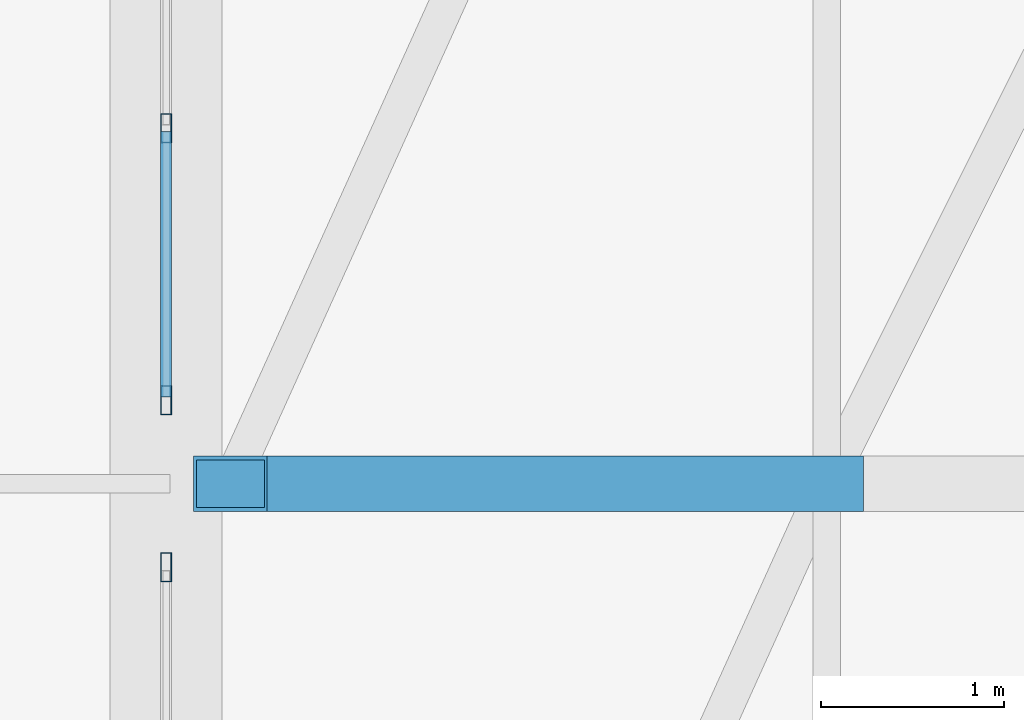
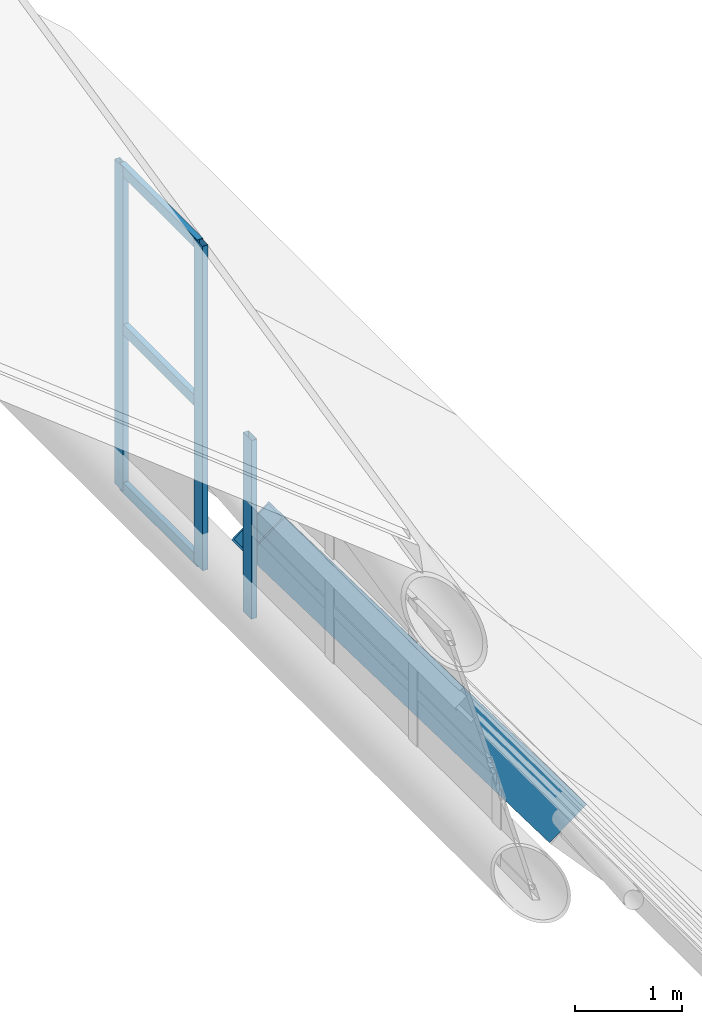
# One storey, part 128 of 397: 6 members, 1 beam, 2 elements without a shape of their own.
"""IFC4 building model written with IfcOpenShell, lengths in metres."""

import ifcopenshell
import ifcopenshell.guid

model = None  # the IFC model being written
_history = None  # IfcOwnerHistory: only IFC2X3 demands one
_inside = {}  # id of a spatial element -> (the spatial element, [elements in it])
_under = {}  # id of a project, library or spatial element -> (it, [spatial elements below it])
_declared = {}  # id of a project -> (the project, [libraries it declares])
_typed = {}  # id of a type object -> (the type object, [elements of that type])
_made_of = {}  # id of a material, layer set ... -> (it, [elements and type objects made of it])


def new_model(schema):
    """Start an empty IFC model of exactly this schema.

    Asked for "IFC4X3", IfcOpenShell would pick the latest addendum, in which some entities
    have other attributes; the version numbers below select the first issue.
    IFC2X3 requires an IfcOwnerHistory on every rooted entity: one is made here for all.
    """
    global model, _history
    if schema == "IFC4X3":
        model = ifcopenshell.file(schema_version=(4, 3, 0, 0))
    else:
        model = ifcopenshell.file(schema=schema)
    _inside.clear()
    _under.clear()
    _declared.clear()
    _typed.clear()
    _made_of.clear()
    _history = None
    if model.schema == "IFC2X3":
        org = make("IfcOrganization", Name="unknown")
        user = make(
            "IfcPersonAndOrganization",
            ThePerson=make("IfcPerson", FamilyName="unknown"),
            TheOrganization=org,
        )
        app = make(
            "IfcApplication",
            ApplicationDeveloper=org,
            Version="unknown",
            ApplicationFullName="unknown",
            ApplicationIdentifier="unknown",
        )
        _history = make(
            "IfcOwnerHistory",
            OwningUser=user,
            OwningApplication=app,
            ChangeAction="ADDED",
            CreationDate=0,
        )
    return model


def make(cls, **values):
    """One entity of the class cls with the attributes given. An attribute that is None is left unset."""
    return model.create_entity(
        cls, **{name: value for name, value in values.items() if value is not None}
    )


def rooted(cls, **values):
    """An entity with a GlobalId (a new one), such as an element, a storey or a relation."""
    return make(cls, GlobalId=ifcopenshell.guid.new(), OwnerHistory=_history, **values)


def si_unit(unit_type, name, prefix=None):
    """IfcSIUnit, for example si_unit("LENGTHUNIT", "METRE", prefix="MILLI")."""
    return make("IfcSIUnit", UnitType=unit_type, Prefix=prefix, Name=name)


def assignment(units):
    """IfcUnitAssignment: the units of a project."""
    return None if units is None else make("IfcUnitAssignment", Units=units)


def point(xyz):
    """IfcCartesianPoint."""
    return None if xyz is None else make("IfcCartesianPoint", Coordinates=xyz)


def direction(xyz):
    """IfcDirection."""
    return None if xyz is None else make("IfcDirection", DirectionRatios=xyz)


def frame(location, z_axis=None, x_axis=None):
    """IfcAxis2Placement3D, a coordinate frame: its origin and axes. An axis left out is left unset."""
    return make(
        "IfcAxis2Placement3D",
        Location=point(location),
        Axis=direction(z_axis),
        RefDirection=direction(x_axis),
    )


def frame_2d(location, x_axis=None):
    """IfcAxis2Placement2D, a coordinate frame in the plane: its origin and x axis."""
    return make(
        "IfcAxis2Placement2D", Location=point(location), RefDirection=direction(x_axis)
    )


def origin():
    """The frame at (0, 0, 0) with its axes left unset."""
    return frame((0.0, 0.0, 0.0))


def origin_2d():
    """The frame at (0, 0) in the plane with its x axis left unset."""
    return frame_2d((0.0, 0.0))


def place(relative_to, where):
    """IfcLocalPlacement: puts the frame where relative to a parent placement (None: the world)."""
    return make(
        "IfcLocalPlacement", PlacementRelTo=relative_to, RelativePlacement=where
    )


def context(
    kind, dimensions, precision=None, world=None, true_north=None, identifier=None
):
    """IfcGeometricRepresentationContext, for example the 3D "Model" context."""
    return make(
        "IfcGeometricRepresentationContext",
        ContextIdentifier=identifier,
        ContextType=kind,
        CoordinateSpaceDimension=dimensions,
        Precision=precision,
        WorldCoordinateSystem=world,
        TrueNorth=true_north,
    )


def subcontext(parent, identifier, kind, view, scale=None):
    """IfcGeometricRepresentationSubContext, for example "Body" below "Model"."""
    return make(
        "IfcGeometricRepresentationSubContext",
        ContextIdentifier=identifier,
        ContextType=kind,
        ParentContext=parent,
        TargetScale=scale,
        TargetView=view,
    )


def project(units=None, contexts=None):
    """IfcProject with its units and contexts."""
    return rooted(
        "IfcProject",
        Name="project",
        RepresentationContexts=contexts,
        UnitsInContext=assignment(units),
    )


def spatial(cls, under=None, at=None, **own):
    """A site, building, storey or space (cls), placed at a placement, below another one or the project."""
    s = rooted(cls, ObjectPlacement=at, **own)
    if under is not None:
        _under.setdefault(under.id(), (under, []))[1].append(s)
    return s


def profile(cls, at=None, kind="AREA", **sizes):
    """A parametric profile (cls). Its sizes go by their IFC names, for example OverallWidth=200.0."""
    return make(cls, ProfileType=kind, Position=at, **sizes)


def hollow_rectangle(**sizes):
    """IfcRectangleHollowProfileDef."""
    return profile("IfcRectangleHollowProfileDef", **sizes)


def extrude(swept, where, along, depth):
    """IfcExtrudedAreaSolid: the profile swept, set in the frame where, extruded along a direction by depth."""
    return make(
        "IfcExtrudedAreaSolid",
        SweptArea=swept,
        Position=where,
        ExtrudedDirection=direction(along),
        Depth=depth,
    )


def shape(context_of_items, identifier, shape_type, items):
    """IfcShapeRepresentation: the items that make up one representation, for example the "Body"."""
    return make(
        "IfcShapeRepresentation",
        ContextOfItems=context_of_items,
        RepresentationIdentifier=identifier,
        RepresentationType=shape_type,
        Items=items,
    )


def material(Name=None, Category=None):
    """IfcMaterial."""
    return make("IfcMaterial", Name=Name, Category=Category)


def material_profile(
    of_material, cross_section, Name=None, Category=None, Priority=None
):
    """IfcMaterialProfile: a cross section and its material."""
    return make(
        "IfcMaterialProfile",
        Name=Name,
        Material=of_material,
        Profile=cross_section,
        Priority=Priority,
        Category=Category,
    )


def profile_set(profiles, Name=None, composite=None):
    """IfcMaterialProfileSet."""
    return make(
        "IfcMaterialProfileSet",
        Name=Name,
        MaterialProfiles=profiles,
        CompositeProfile=composite,
    )


def made_of(thing, what):
    """Note that an element or type object is made of a material, layer set ...; save() writes the relation."""
    if what is not None:
        _made_of.setdefault(what.id(), (what, []))[1].append(thing)
    return thing


def type_object(cls, material=None, **own):
    """A type object (cls), such as IfcWallType, which elements share."""
    return made_of(rooted(cls, **own), material)


def element(
    cls,
    number,
    at=None,
    inside=None,
    cuts=None,
    type_object=None,
    material=None,
    context=None,
    identifier="Body",
    shape_type=None,
    held_by="IfcProductDefinitionShape",
    body=None,
    shapes=None,
    **own,
):
    """One element of the class cls, such as IfcWall. Its Tag is "e" and its number.

    at: its placement. inside: the storey or other place that contains it. cuts: it is an
    opening in that element (IfcRelVoidsElement). A single representation is given by context,
    identifier, shape_type and body (its items); several are given by shapes. held_by: the class
    of the entity that holds the representations. save() writes the other relations.
    """
    e = rooted(cls, Tag="e%d" % number, ObjectPlacement=at, **own)
    if body is not None:
        shapes = [shape(context, identifier, shape_type, body)]
    if shapes is not None:
        e.Representation = make(held_by, Representations=shapes)
    if inside is not None:
        _inside.setdefault(inside.id(), (inside, []))[1].append(e)
    if cuts is not None:
        rooted(
            "IfcRelVoidsElement", RelatingBuildingElement=cuts, RelatedOpeningElement=e
        )
    if type_object is not None:
        _typed.setdefault(type_object.id(), (type_object, []))[1].append(e)
    return made_of(e, material)


def aggregate(whole, parts):
    """IfcRelAggregates: a whole, such as a stair, and the parts it consists of."""
    return rooted("IfcRelAggregates", RelatingObject=whole, RelatedObjects=parts)


def save(model, path):
    """Write the relations noted so far, then the file.

    IfcRelAggregates (storeys below a building ...), IfcRelContainedInSpatialStructure (elements
    in a storey), IfcRelDefinesByType, IfcRelAssociatesMaterial and IfcRelDeclares: one each for
    every whole, place, type object, material and project.
    """
    for whole, parts in _under.values():
        aggregate(whole, parts)
    for where, things in _inside.values():
        rooted(
            "IfcRelContainedInSpatialStructure",
            RelatedElements=things,
            RelatingStructure=where,
        )
    for kind, things in _typed.values():
        rooted("IfcRelDefinesByType", RelatedObjects=things, RelatingType=kind)
    for what, things in _made_of.values():
        rooted("IfcRelAssociatesMaterial", RelatedObjects=things, RelatingMaterial=what)
    for by, libraries in _declared.values():
        rooted("IfcRelDeclares", RelatingContext=by, RelatedDefinitions=libraries)
    model.write(path)


model = new_model("IFC4")

# Units and contexts
model_context = context("Model", 3, precision=1e-05, world=origin(), true_north=direction((0.0, 1.0)))
body_context = subcontext(model_context, "Body", "Model", "MODEL_VIEW")
ifc_project = project(units=[si_unit("LENGTHUNIT", "METRE"), si_unit("AREAUNIT", "SQUARE_METRE"), si_unit("VOLUMEUNIT", "CUBIC_METRE"), si_unit("PLANEANGLEUNIT", "RADIAN"), si_unit("MASSUNIT", "GRAM", prefix="KILO")], contexts=[model_context])

# Site, building, storey
site_placement = place(None, origin())
site = spatial("IfcSite", under=ifc_project, at=site_placement, CompositionType="ELEMENT")
building_placement = place(site_placement, origin())
building = spatial("IfcBuilding", under=site, at=building_placement, Name="Qandorah Velis Arena", CompositionType="ELEMENT")
storey_placement = place(building_placement, frame((0.0, 0.0, 27.5)))
storey = spatial("IfcBuildingStorey", under=building, at=storey_placement, Name="RF", CompositionType="ELEMENT", Elevation=27.5)

# Curtain wall, member
ifc_material_1 = material(Name="Solar-control low-E double glazing", Category="glass")
curtain_wall_type_1 = type_object("IfcCurtainWallType", Name="ARC-CW-SYS09", PredefinedType="USERDEFINED", material=ifc_material_1)
curtain_wall_1_placement = place(storey_placement, origin())
curtain_wall_1 = element("IfcCurtainWall", 1, at=curtain_wall_1_placement, inside=storey, type_object=curtain_wall_type_1, Name="Unitised curtain wall CROWN-2-01S1", ObjectType="UNITISED CURTAIN WALL", PredefinedType="USERDEFINED")
ifc_material_2 = material(Name="Champagne-bronze anodized aluminium 6063-T6", Category="aluminium")
ifc_material_profile_1 = material_profile(ifc_material_2, hollow_rectangle(XDim=0.06005859375, YDim=0.159912109375, WallThickness=0.00341796875, at=origin_2d()), Name="ALU MULLION 60x160")
ifc_profile_set_1 = profile_set([ifc_material_profile_1], Name="Champagne-bronze anodized aluminium 6063-T6")
member_type_1 = type_object("IfcMemberType", Name="ARC-CWM-160", PredefinedType="MULLION", material=ifc_profile_set_1)
member_1_placement = place(storey_placement, frame((115.199951171875, 21.14501953125, -0.014892578125), z_axis=(0.0, 0.0, 1.0), x_axis=(-1.0, 0.0, 0.0)))
member_1 = element("IfcMember", 2, at=member_1_placement, type_object=member_type_1, Name="CW09 mullion 5", PredefinedType="MULLION", context=body_context, shape_type="SweptSolid", body=[
    extrude(hollow_rectangle(XDim=0.06005859375, YDim=0.159912109375, WallThickness=0.00341796875, at=origin_2d()), origin(), (0.0, 0.0, 1.0), 2.03271484375),
])
aggregate(curtain_wall_1, [member_1])

# Curtain wall, members
curtain_wall_type_2 = type_object("IfcCurtainWallType", Name="ARC-CW-SYS10", PredefinedType="USERDEFINED", material=ifc_material_1)
curtain_wall_2_placement = place(storey_placement, origin())
curtain_wall_2 = element("IfcCurtainWall", 3, at=curtain_wall_2_placement, inside=storey, type_object=curtain_wall_type_2, Name="Unitised curtain wall CROWN-2-01S2", ObjectType="UNITISED CURTAIN WALL", PredefinedType="USERDEFINED")
member_2_placement = place(storey_placement, frame((115.199951171875, 22.054931640625, -0.014892578125), z_axis=(0.0, 0.0, 1.0), x_axis=(-1.0, 0.0, 0.0)))
member_2 = element("IfcMember", 4, at=member_2_placement, type_object=member_type_1, Name="CW10 mullion 1", PredefinedType="MULLION", context=body_context, shape_type="SweptSolid", body=[
    extrude(hollow_rectangle(XDim=0.06005859375, YDim=0.159912109375, WallThickness=0.00341796875, at=origin_2d()), origin(), (0.0, 0.0, 1.0), 3.6904296875),
])
member_3_placement = place(storey_placement, frame((115.199951171875, 23.53759765625, -0.014892578125), z_axis=(0.0, 0.0, 1.0), x_axis=(-1.0, 0.0, 0.0)))
member_3 = element("IfcMember", 5, at=member_3_placement, type_object=member_type_1, Name="CW10 mullion 2", PredefinedType="MULLION", context=body_context, shape_type="SweptSolid", body=[
    extrude(hollow_rectangle(XDim=0.06005859375, YDim=0.159912109375, WallThickness=0.00341796875, at=origin_2d()), origin(), (0.0, 0.0, 1.0), 3.6904296875),
])
ifc_material_profile_2 = material_profile(ifc_material_2, hollow_rectangle(XDim=0.06005859375, YDim=0.1201171875, WallThickness=0.0029296875, at=origin_2d()), Name="ALU TRANSOM 60x120")
ifc_profile_set_2 = profile_set([ifc_material_profile_2], Name="Champagne-bronze anodized aluminium 6063-T6")
member_type_2 = type_object("IfcMemberType", Name="ARC-CWT-120", PredefinedType="USERDEFINED", material=ifc_profile_set_2)
member_4_placement = place(storey_placement, frame((115.199951171875, 22.072998046875, 0.030029296875), z_axis=(0.0, 1.0, 0.0), x_axis=(-1.0, 0.0, 0.0)))
member_4 = element("IfcMember", 6, at=member_4_placement, type_object=member_type_2, Name="CW10 transom 1.1", ObjectType="TRANSOM", PredefinedType="USERDEFINED", context=body_context, shape_type="SweptSolid", body=[
    extrude(hollow_rectangle(XDim=0.06005859375, YDim=0.1201171875, WallThickness=0.0029296875, at=origin_2d()), origin(), (0.0, 0.0, 1.0), 1.446533203125),
])
member_5_placement = place(storey_placement, frame((115.199951171875, 22.072998046875, 1.830078125), z_axis=(0.0, 1.0, 0.0), x_axis=(-1.0, 0.0, 0.0)))
member_5 = element("IfcMember", 7, at=member_5_placement, type_object=member_type_2, Name="CW10 transom 1.2", ObjectType="TRANSOM", PredefinedType="USERDEFINED", context=body_context, shape_type="SweptSolid", body=[
    extrude(hollow_rectangle(XDim=0.06005859375, YDim=0.1201171875, WallThickness=0.0029296875, at=origin_2d()), origin(), (0.0, 0.0, 1.0), 1.446533203125),
])
member_6_placement = place(storey_placement, frame((115.199951171875, 22.072998046875, 3.630615234375), z_axis=(0.0, 1.0, 0.0), x_axis=(-1.0, 0.0, 0.0)))
member_6 = element("IfcMember", 8, at=member_6_placement, type_object=member_type_2, Name="CW10 transom 1.3", ObjectType="TRANSOM", PredefinedType="USERDEFINED", context=body_context, shape_type="SweptSolid", body=[
    extrude(hollow_rectangle(XDim=0.06005859375, YDim=0.1201171875, WallThickness=0.0029296875, at=origin_2d()), origin(), (0.0, 0.0, 1.0), 1.446533203125),
])
aggregate(curtain_wall_2, [member_2, member_3, member_4, member_5, member_6])

# Beam
ifc_material_3 = material(Name="Steel S355", Category="steel")
ifc_material_profile_3 = material_profile(ifc_material_3, hollow_rectangle(XDim=0.300048828125, YDim=0.5, WallThickness=0.02001953125, at=origin_2d()), Name="RHS 500x300x20")
ifc_profile_set_3 = profile_set([ifc_material_profile_3], Name="Steel S355")
beam_type = type_object("IfcBeamType", Name="STR-CRB-RHS500", PredefinedType="USERDEFINED", material=ifc_profile_set_3)
beam_placement = place(storey_placement, frame((115.550048828125, 21.60009765625, 0.562744140625), z_axis=(0.593780108207, 0.0, -0.804627356667), x_axis=(0.0, 1.0, 0.0)))
element("IfcBeam", 9, at=beam_placement, inside=storey, type_object=beam_type, Name="Sweeping canopy rib CRB-2.01", ObjectType="ROOF TRUSS", PredefinedType="USERDEFINED", context=body_context, shape_type="SweptSolid", body=[
    extrude(hollow_rectangle(XDim=0.300048828125, YDim=0.5, WallThickness=0.02001953125, at=origin_2d()), origin(), (0.0, 0.0, 1.0), 5.473388671875),
])

save(model, "model.ifc")
